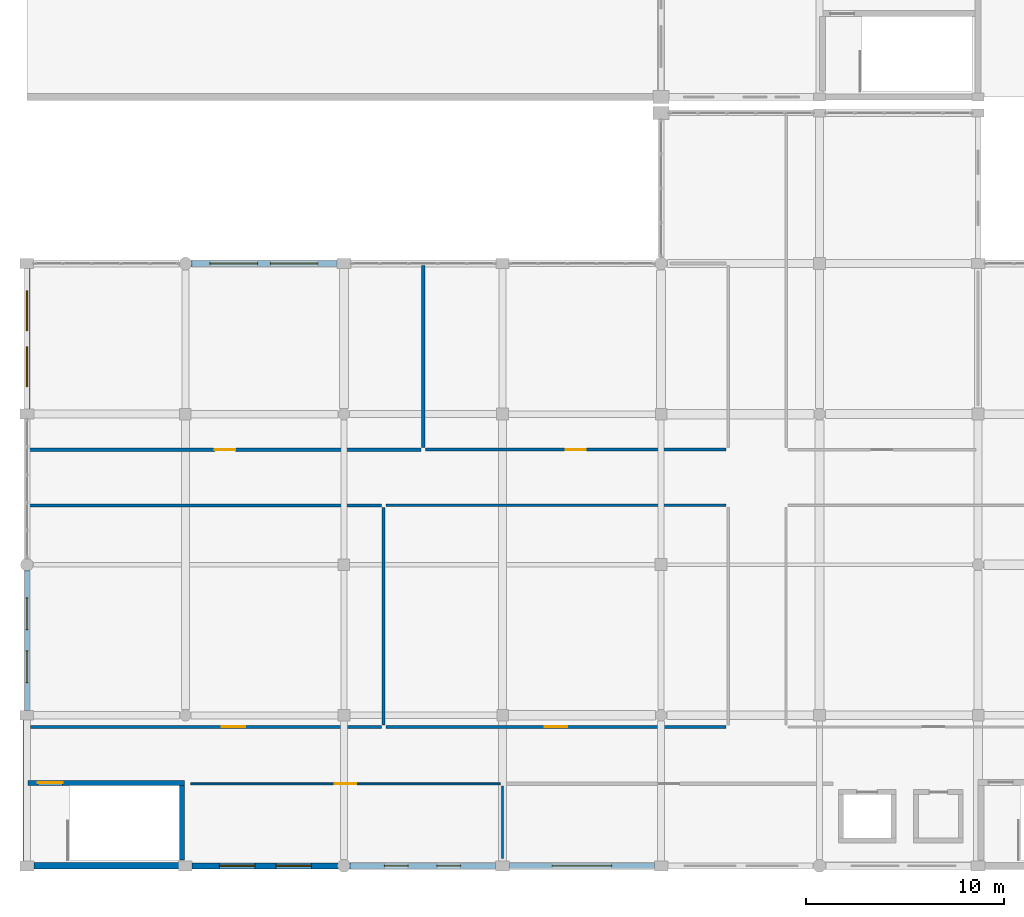
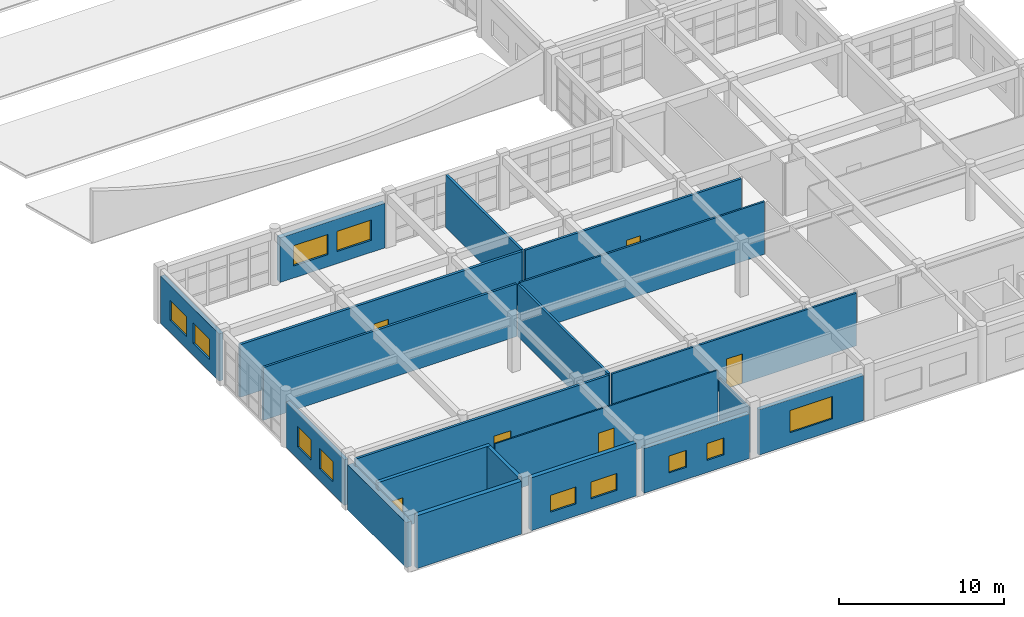
# One storey, part 101 of 121: 20 walls, 11 windows, 6 doors, 17 openings.
"""IFC4 building model written with IfcOpenShell, lengths in metres."""

from ifc_helpers import new_model, si_unit, direction, frame, frame_2d, origin, place, context, subcontext, project, spatial, rectangle, extrude, material, layer, layer_set, type_object, element, fill, save


model = new_model("IFC4")

# Units and contexts
model_context = context("Model", 3, precision=1e-05, world=origin(), true_north=direction((0.0, 1.0)))
body_context = subcontext(model_context, "Body", "Model", "MODEL_VIEW")
ifc_project = project(units=[si_unit("LENGTHUNIT", "METRE"), si_unit("AREAUNIT", "SQUARE_METRE"), si_unit("VOLUMEUNIT", "CUBIC_METRE"), si_unit("PLANEANGLEUNIT", "RADIAN"), si_unit("MASSUNIT", "GRAM", prefix="KILO")], contexts=[model_context])

# Site, building, storey
site_placement = place(None, origin())
site = spatial("IfcSite", under=ifc_project, at=site_placement, CompositionType="ELEMENT")
building_placement = place(site_placement, origin())
building = spatial("IfcBuilding", under=site, at=building_placement, Name="Kharva Crest Polytechnic", CompositionType="ELEMENT")
storey_placement = place(building_placement, frame((0.0, 0.0, 13.199951171875)))
storey = spatial("IfcBuildingStorey", under=building, at=storey_placement, Name="L03", CompositionType="ELEMENT", Elevation=13.199951171875)

# Wall, openings, windows
ifc_material_1 = material(Name="Kiln brick masonry", Category="masonry")
ifc_layer_1 = layer(ifc_material_1, 0.260009765625, Name="Kiln brick masonry")
ifc_layer_set_1 = layer_set([ifc_layer_1], Name="Kiln brick masonry")
wall_type_1 = type_object("IfcWallType", Name="WL-EXT-BRK-260", PredefinedType="SOLIDWALL", material=ifc_layer_set_1)
wall_1_placement = place(storey_placement, frame((0.0, 14.93115234375, 0.0), z_axis=(0.0, 0.0, 1.0), x_axis=(0.0, -1.0, 0.0)))
wall_1 = element("IfcWall", 1, at=wall_1_placement, inside=storey, type_object=wall_type_1, Name="L03 Exterior Brick Wall 311", PredefinedType="SOLIDWALL", context=body_context, shape_type="SweptSolid", body=[
    extrude(rectangle(XDim=7.086181640625, YDim=0.260009765625, at=frame_2d((3.54296875, 0.0))), origin(), (0.0, 0.0, 1.0), 3.380126953125),
])
opening_1_placement = place(wall_1_placement, frame((1.402099609375, 0.0, 0.89990234375)))
opening_1 = element("IfcOpeningElement", 2, at=opening_1_placement, cuts=wall_1, Name="Opening W14", PredefinedType="OPENING", context=body_context, shape_type="SweptSolid", body=[
    extrude(rectangle(XDim=1.60009765625, YDim=1.5, at=frame_2d((0.800048828125, 0.75))), frame((0.0, 0.139892578125, 0.0), z_axis=(0.0, -1.0, 0.0), x_axis=(1.0, 0.0, 0.0)), (0.0, 0.0, 1.0), 0.280029296875),
])
opening_2_placement = place(wall_1_placement, frame((4.083984375, 0.0, 0.89990234375)))
opening_2 = element("IfcOpeningElement", 3, at=opening_2_placement, cuts=wall_1, Name="Opening W14", PredefinedType="OPENING", context=body_context, shape_type="SweptSolid", body=[
    extrude(rectangle(XDim=1.60009765625, YDim=1.5, at=frame_2d((0.800048828125, 0.75))), frame((0.0, 0.139892578125, 0.0), z_axis=(0.0, -1.0, 0.0), x_axis=(1.0, 0.0, 0.0)), (0.0, 0.0, 1.0), 0.280029296875),
])
ifc_material_2 = material(Name="Anodised aluminium", Category="aluminium")
window_type_1 = type_object("IfcWindowType", Name="WIN-ALU-1600X1500", PartitioningType="SINGLE_PANEL", PredefinedType="WINDOW", material=ifc_material_2)
window_1_placement = place(opening_1_placement, origin())
window_1 = element("IfcWindow", 4, at=window_1_placement, inside=storey, type_object=window_type_1, Name="L03 Exterior Window 418", OverallHeight=1.5, OverallWidth=1.60009765625, PartitioningType="SINGLE_PANEL", PredefinedType="WINDOW", context=body_context, shape_type="SweptSolid", body=[
    extrude(rectangle(XDim=1.60009765625, YDim=1.5, at=frame_2d((0.800048828125, 0.75))), frame((0.0, 0.030029296875, 0.0), z_axis=(0.0, -1.0, 0.0), x_axis=(1.0, 0.0, 0.0)), (0.0, 0.0, 1.0), 0.06005859375),
])
fill(opening_1, window_1)
window_2_placement = place(opening_2_placement, origin())
window_2 = element("IfcWindow", 5, at=window_2_placement, inside=storey, type_object=window_type_1, Name="L03 Exterior Window 419", OverallHeight=1.5, OverallWidth=1.60009765625, PartitioningType="SINGLE_PANEL", PredefinedType="WINDOW", context=body_context, shape_type="SweptSolid", body=[
    extrude(rectangle(XDim=1.60009765625, YDim=1.5, at=frame_2d((0.800048828125, 0.75))), frame((0.0, 0.030029296875, 0.0), z_axis=(0.0, -1.0, 0.0), x_axis=(1.0, 0.0, 0.0)), (0.0, 0.0, 1.0), 0.06005859375),
])
fill(opening_2, window_2)

# Wall, opening, window
ifc_layer_2 = layer(ifc_material_1, 0.27490234375, Name="Kiln brick masonry")
ifc_layer_set_2 = layer_set([ifc_layer_2], Name="Kiln brick masonry")
wall_type_2 = type_object("IfcWallType", Name="WL-EXT-BRK-275", PredefinedType="SOLIDWALL", material=ifc_layer_set_2)
wall_2_placement = place(storey_placement, frame((24.344970703125, 0.0, 0.0), z_axis=(0.0, 0.0, 1.0), x_axis=(1.0, 0.0, 0.0)))
wall_2 = element("IfcWall", 6, at=wall_2_placement, inside=storey, type_object=wall_type_2, Name="L03 Exterior Brick Wall 301", PredefinedType="SOLIDWALL", context=body_context, shape_type="SweptSolid", body=[
    extrude(rectangle(XDim=7.320068359375, YDim=0.27490234375, at=frame_2d((3.66015625, 0.0))), origin(), (0.0, 0.0, 1.0), 3.360107421875),
])
opening_3_placement = place(wall_2_placement, frame((2.159912109375, 0.0, 0.89990234375)))
opening_3 = element("IfcOpeningElement", 7, at=opening_3_placement, cuts=wall_2, Name="Opening W23", PredefinedType="OPENING", context=body_context, shape_type="SweptSolid", body=[
    extrude(rectangle(XDim=3.0, YDim=1.64990234375, at=frame_2d((1.5, 0.824951171875))), frame((0.0, 0.1474609375, 0.0), z_axis=(0.0, -1.0, 0.0), x_axis=(1.0, 0.0, 0.0)), (0.0, 0.0, 1.0), 0.294921875),
])
window_type_2 = type_object("IfcWindowType", Name="WIN-ALU-3000X1650", PartitioningType="SINGLE_PANEL", PredefinedType="WINDOW", material=ifc_material_2)
window_3_placement = place(opening_3_placement, origin())
window_3 = element("IfcWindow", 8, at=window_3_placement, inside=storey, type_object=window_type_2, Name="L03 Exterior Window 403", OverallHeight=1.64990234375, OverallWidth=3.0, PartitioningType="SINGLE_PANEL", PredefinedType="WINDOW", context=body_context, shape_type="SweptSolid", body=[
    extrude(rectangle(XDim=3.0, YDim=1.64990234375, at=frame_2d((1.5, 0.824951171875))), frame((0.0, 0.030029296875, 0.0), z_axis=(0.0, -1.0, 0.0), x_axis=(1.0, 0.0, 0.0)), (0.0, 0.0, 1.0), 0.06005859375),
])
fill(opening_3, window_3)

# Wall, openings, windows
ifc_layer_3 = layer(ifc_material_1, 0.2900390625, Name="Kiln brick masonry")
ifc_layer_set_3 = layer_set([ifc_layer_3], Name="Kiln brick masonry")
wall_type_3 = type_object("IfcWallType", Name="WL-EXT-BRK-290", PredefinedType="SOLIDWALL", material=ifc_layer_set_3)
wall_3_placement = place(storey_placement, frame((16.268798828125, 0.0, 0.0), z_axis=(0.0, 0.0, 1.0), x_axis=(1.0, 0.0, 0.0)))
wall_3 = element("IfcWall", 9, at=wall_3_placement, inside=storey, type_object=wall_type_3, Name="L03 Exterior Brick Wall 300", PredefinedType="SOLIDWALL", context=body_context, shape_type="SweptSolid", body=[
    extrude(rectangle(XDim=7.38623046875, YDim=0.2900390625, at=frame_2d((3.693115234375, 0.0))), origin(), (0.0, 0.0, 1.0), 3.31005859375),
])
opening_4_placement = place(wall_3_placement, frame((1.76904296875, 0.0, 0.89990234375)))
opening_4 = element("IfcOpeningElement", 10, at=opening_4_placement, cuts=wall_3, Name="Opening W21", PredefinedType="OPENING", context=body_context, shape_type="SweptSolid", body=[
    extrude(rectangle(XDim=1.199951171875, YDim=1.25, at=frame_2d((0.60009765625, 0.625))), frame((0.0, 0.155029296875, 0.0), z_axis=(0.0, -1.0, 0.0), x_axis=(1.0, 0.0, 0.0)), (0.0, 0.0, 1.0), 0.31005859375),
])
opening_5_placement = place(wall_3_placement, frame((4.4169921875, 0.0, 0.89990234375)))
opening_5 = element("IfcOpeningElement", 11, at=opening_5_placement, cuts=wall_3, Name="Opening W21", PredefinedType="OPENING", context=body_context, shape_type="SweptSolid", body=[
    extrude(rectangle(XDim=1.199951171875, YDim=1.25, at=frame_2d((0.60009765625, 0.625))), frame((0.0, 0.155029296875, 0.0), z_axis=(0.0, -1.0, 0.0), x_axis=(1.0, 0.0, 0.0)), (0.0, 0.0, 1.0), 0.31005859375),
])
window_type_3 = type_object("IfcWindowType", Name="WIN-ALU-1200X1250", PartitioningType="SINGLE_PANEL", PredefinedType="WINDOW", material=ifc_material_2)
window_4_placement = place(opening_4_placement, origin())
window_4 = element("IfcWindow", 12, at=window_4_placement, inside=storey, type_object=window_type_3, Name="L03 Exterior Window 401", OverallHeight=1.25, OverallWidth=1.199951171875, PartitioningType="SINGLE_PANEL", PredefinedType="WINDOW", context=body_context, shape_type="SweptSolid", body=[
    extrude(rectangle(XDim=1.199951171875, YDim=1.25, at=frame_2d((0.60009765625, 0.625))), frame((0.0, 0.030029296875, 0.0), z_axis=(0.0, -1.0, 0.0), x_axis=(1.0, 0.0, 0.0)), (0.0, 0.0, 1.0), 0.06005859375),
])
fill(opening_4, window_4)
window_5_placement = place(opening_5_placement, origin())
window_5 = element("IfcWindow", 13, at=window_5_placement, inside=storey, type_object=window_type_3, Name="L03 Exterior Window 402", OverallHeight=1.25, OverallWidth=1.199951171875, PartitioningType="SINGLE_PANEL", PredefinedType="WINDOW", context=body_context, shape_type="SweptSolid", body=[
    extrude(rectangle(XDim=1.199951171875, YDim=1.25, at=frame_2d((0.60009765625, 0.625))), frame((0.0, 0.030029296875, 0.0), z_axis=(0.0, -1.0, 0.0), x_axis=(1.0, 0.0, 0.0)), (0.0, 0.0, 1.0), 0.06005859375),
])
fill(opening_5, window_5)

wall_4_placement = place(storey_placement, frame((0.0, 30.155029296875, 0.0), z_axis=(0.0, 0.0, 1.0), x_axis=(0.0, -1.0, 0.0)))
wall_4 = element("IfcWall", 14, at=wall_4_placement, inside=storey, type_object=wall_type_3, Name="L03 Exterior Brick Wall 310", PredefinedType="SOLIDWALL", context=body_context, shape_type="SweptSolid", body=[
    extrude(rectangle(XDim=7.110107421875, YDim=0.2900390625, at=frame_2d((3.55517578125, 0.0))), origin(), (0.0, 0.0, 1.0), 3.5),
])
opening_6_placement = place(wall_4_placement, frame((1.14306640625, 0.0, 0.89990234375)))
opening_6 = element("IfcOpeningElement", 15, at=opening_6_placement, cuts=wall_4, Name="Opening W12", PredefinedType="OPENING", context=body_context, shape_type="SweptSolid", body=[
    extrude(rectangle(XDim=2.0, YDim=1.5, at=frame_2d((1.0, 0.75))), frame((0.0, 0.155029296875, 0.0), z_axis=(0.0, -1.0, 0.0), x_axis=(1.0, 0.0, 0.0)), (0.0, 0.0, 1.0), 0.31005859375),
])
opening_7_placement = place(wall_4_placement, frame((3.967041015625, 0.0, 0.89990234375)))
opening_7 = element("IfcOpeningElement", 16, at=opening_7_placement, cuts=wall_4, Name="Opening W12", PredefinedType="OPENING", context=body_context, shape_type="SweptSolid", body=[
    extrude(rectangle(XDim=2.0, YDim=1.5, at=frame_2d((1.0, 0.75))), frame((0.0, 0.155029296875, 0.0), z_axis=(0.0, -1.0, 0.0), x_axis=(1.0, 0.0, 0.0)), (0.0, 0.0, 1.0), 0.31005859375),
])
window_type_4 = type_object("IfcWindowType", Name="WIN-ALU-2000X1500", PartitioningType="SINGLE_PANEL", PredefinedType="WINDOW", material=ifc_material_2)
window_6_placement = place(opening_6_placement, origin())
window_6 = element("IfcWindow", 17, at=window_6_placement, inside=storey, type_object=window_type_4, Name="L03 Exterior Window 416", OverallHeight=1.5, OverallWidth=2.0, PartitioningType="SINGLE_PANEL", PredefinedType="WINDOW", context=body_context, shape_type="SweptSolid", body=[
    extrude(rectangle(XDim=2.0, YDim=1.5, at=frame_2d((1.0, 0.75))), frame((0.0, 0.030029296875, 0.0), z_axis=(0.0, -1.0, 0.0), x_axis=(1.0, 0.0, 0.0)), (0.0, 0.0, 1.0), 0.06005859375),
])
fill(opening_6, window_6)
window_7_placement = place(opening_7_placement, origin())
window_7 = element("IfcWindow", 18, at=window_7_placement, inside=storey, type_object=window_type_4, Name="L03 Exterior Window 417", OverallHeight=1.5, OverallWidth=2.0, PartitioningType="SINGLE_PANEL", PredefinedType="WINDOW", context=body_context, shape_type="SweptSolid", body=[
    extrude(rectangle(XDim=2.0, YDim=1.5, at=frame_2d((1.0, 0.75))), frame((0.0, 0.030029296875, 0.0), z_axis=(0.0, -1.0, 0.0), x_axis=(1.0, 0.0, 0.0)), (0.0, 0.0, 1.0), 0.06005859375),
])
fill(opening_7, window_7)

ifc_layer_4 = layer(ifc_material_1, 0.304931640625, Name="Kiln brick masonry")
ifc_layer_set_4 = layer_set([ifc_layer_4], Name="Kiln brick masonry")
wall_type_4 = type_object("IfcWallType", Name="WL-EXT-BRK-305", PredefinedType="SOLIDWALL", material=ifc_layer_set_4)
wall_5_placement = place(storey_placement, frame((8.3349609375, 0.0, 0.0), z_axis=(0.0, 0.0, 1.0), x_axis=(1.0, 0.0, 0.0)))
wall_5 = element("IfcWall", 19, at=wall_5_placement, inside=storey, type_object=wall_type_4, Name="L03 Exterior Brick Wall 299", PredefinedType="SOLIDWALL", context=body_context, shape_type="SweptSolid", body=[
    extrude(rectangle(XDim=7.396240234375, YDim=0.304931640625, at=frame_2d((3.6982421875, 0.0))), origin(), (0.0, 0.0, 1.0), 3.920166015625),
])
opening_8_placement = place(wall_5_placement, frame((1.3720703125, 0.0, 0.89990234375)))
opening_8 = element("IfcOpeningElement", 20, at=opening_8_placement, cuts=wall_5, Name="Opening W19", PredefinedType="OPENING", context=body_context, shape_type="SweptSolid", body=[
    extrude(rectangle(XDim=1.800048828125, YDim=1.25, at=frame_2d((0.89990234375, 0.625))), frame((0.0, 0.162353515625, 0.0), z_axis=(0.0, -1.0, 0.0), x_axis=(1.0, 0.0, 0.0)), (0.0, 0.0, 1.0), 0.324951171875),
])
opening_9_placement = place(wall_5_placement, frame((4.22412109375, 0.0, 0.89990234375)))
opening_9 = element("IfcOpeningElement", 21, at=opening_9_placement, cuts=wall_5, Name="Opening W19", PredefinedType="OPENING", context=body_context, shape_type="SweptSolid", body=[
    extrude(rectangle(XDim=1.800048828125, YDim=1.25, at=frame_2d((0.89990234375, 0.625))), frame((0.0, 0.162353515625, 0.0), z_axis=(0.0, -1.0, 0.0), x_axis=(1.0, 0.0, 0.0)), (0.0, 0.0, 1.0), 0.324951171875),
])
window_type_5 = type_object("IfcWindowType", Name="WIN-ALU-1800X1250", PartitioningType="SINGLE_PANEL", PredefinedType="WINDOW", material=ifc_material_2)
window_8_placement = place(opening_8_placement, origin())
window_8 = element("IfcWindow", 22, at=window_8_placement, inside=storey, type_object=window_type_5, Name="L03 Exterior Window 399", OverallHeight=1.25, OverallWidth=1.800048828125, PartitioningType="SINGLE_PANEL", PredefinedType="WINDOW", context=body_context, shape_type="SweptSolid", body=[
    extrude(rectangle(XDim=1.800048828125, YDim=1.25, at=frame_2d((0.89990234375, 0.625))), frame((0.0, 0.030029296875, 0.0), z_axis=(0.0, -1.0, 0.0), x_axis=(1.0, 0.0, 0.0)), (0.0, 0.0, 1.0), 0.06005859375),
])
fill(opening_8, window_8)
window_9_placement = place(opening_9_placement, origin())
window_9 = element("IfcWindow", 23, at=window_9_placement, inside=storey, type_object=window_type_5, Name="L03 Exterior Window 400", OverallHeight=1.25, OverallWidth=1.800048828125, PartitioningType="SINGLE_PANEL", PredefinedType="WINDOW", context=body_context, shape_type="SweptSolid", body=[
    extrude(rectangle(XDim=1.800048828125, YDim=1.25, at=frame_2d((0.89990234375, 0.625))), frame((0.0, 0.030029296875, 0.0), z_axis=(0.0, -1.0, 0.0), x_axis=(1.0, 0.0, 0.0)), (0.0, 0.0, 1.0), 0.06005859375),
])
fill(opening_9, window_9)

# Wall
ifc_layer_5 = layer(ifc_material_1, 0.320068359375, Name="Kiln brick masonry")
ifc_layer_set_5 = layer_set([ifc_layer_5], Name="Kiln brick masonry")
wall_type_5 = type_object("IfcWallType", Name="WL-EXT-BRK-320", PredefinedType="SOLIDWALL", material=ifc_layer_set_5)
wall_6_placement = place(storey_placement, frame((0.344970703125, 0.0, 0.0), z_axis=(0.0, 0.0, 1.0), x_axis=(1.0, 0.0, 0.0)))
element("IfcWall", 24, at=wall_6_placement, inside=storey, type_object=wall_type_5, Name="L03 Exterior Brick Wall 298", PredefinedType="SOLIDWALL", context=body_context, shape_type="SweptSolid", body=[
    extrude(rectangle(XDim=7.320068359375, YDim=0.320068359375, at=frame_2d((3.66015625, 0.0))), origin(), (0.0, 0.0, 1.0), 3.920166015625),
])

# Wall, openings, windows
wall_7_placement = place(storey_placement, frame((15.655029296875, 30.39990234375, 0.0), z_axis=(0.0, 0.0, 1.0), x_axis=(-1.0, 0.0, 0.0)))
wall_7 = element("IfcWall", 25, at=wall_7_placement, inside=storey, type_object=wall_type_5, Name="L03 Exterior Brick Wall 309", PredefinedType="SOLIDWALL", context=body_context, shape_type="SweptSolid", body=[
    extrude(rectangle(XDim=7.38623046875, YDim=0.320068359375, at=frame_2d((3.693115234375, 0.0))), origin(), (0.0, 0.0, 1.0), 3.31005859375),
])
opening_10_placement = place(wall_7_placement, frame((0.968994140625, 0.0, 0.89990234375)))
opening_10 = element("IfcOpeningElement", 26, at=opening_10_placement, cuts=wall_7, Name="Opening W10", PredefinedType="OPENING", context=body_context, shape_type="SweptSolid", body=[
    extrude(rectangle(XDim=2.39990234375, YDim=1.5, at=frame_2d((1.199951171875, 0.75))), frame((0.0, 0.169921875, 0.0), z_axis=(0.0, -1.0, 0.0), x_axis=(1.0, 0.0, 0.0)), (0.0, 0.0, 1.0), 0.340087890625),
])
opening_11_placement = place(wall_7_placement, frame((4.01708984375, 0.0, 0.89990234375)))
opening_11 = element("IfcOpeningElement", 27, at=opening_11_placement, cuts=wall_7, Name="Opening W10", PredefinedType="OPENING", context=body_context, shape_type="SweptSolid", body=[
    extrude(rectangle(XDim=2.39990234375, YDim=1.5, at=frame_2d((1.199951171875, 0.75))), frame((0.0, 0.169921875, 0.0), z_axis=(0.0, -1.0, 0.0), x_axis=(1.0, 0.0, 0.0)), (0.0, 0.0, 1.0), 0.340087890625),
])
window_type_6 = type_object("IfcWindowType", Name="WIN-ALU-2400X1500", PartitioningType="SINGLE_PANEL", PredefinedType="WINDOW", material=ifc_material_2)
window_10_placement = place(opening_10_placement, origin())
window_10 = element("IfcWindow", 28, at=window_10_placement, inside=storey, type_object=window_type_6, Name="L03 Exterior Window 414", OverallHeight=1.5, OverallWidth=2.39990234375, PartitioningType="SINGLE_PANEL", PredefinedType="WINDOW", context=body_context, shape_type="SweptSolid", body=[
    extrude(rectangle(XDim=2.39990234375, YDim=1.5, at=frame_2d((1.199951171875, 0.75))), frame((0.0, 0.030029296875, 0.0), z_axis=(0.0, -1.0, 0.0), x_axis=(1.0, 0.0, 0.0)), (0.0, 0.0, 1.0), 0.06005859375),
])
fill(opening_10, window_10)
window_11_placement = place(opening_11_placement, origin())
window_11 = element("IfcWindow", 29, at=window_11_placement, inside=storey, type_object=window_type_6, Name="L03 Exterior Window 415", OverallHeight=1.5, OverallWidth=2.39990234375, PartitioningType="SINGLE_PANEL", PredefinedType="WINDOW", context=body_context, shape_type="SweptSolid", body=[
    extrude(rectangle(XDim=2.39990234375, YDim=1.5, at=frame_2d((1.199951171875, 0.75))), frame((0.0, 0.030029296875, 0.0), z_axis=(0.0, -1.0, 0.0), x_axis=(1.0, 0.0, 0.0)), (0.0, 0.0, 1.0), 0.06005859375),
])
fill(opening_11, window_11)

# Walls
ifc_layer_6 = layer(ifc_material_1, 0.3798828125, Name="Kiln brick masonry")
ifc_layer_set_6 = layer_set([ifc_layer_6], Name="Kiln brick masonry")
wall_type_6 = type_object("IfcWallType", Name="WL-EXT-BRK-380", PredefinedType="SOLIDWALL", material=ifc_layer_set_6)
wall_8_placement = place(storey_placement, frame((0.0, 7.35498046875, 0.0), z_axis=(0.0, 0.0, 1.0), x_axis=(0.0, -1.0, 0.0)))
element("IfcWall", 30, at=wall_8_placement, inside=storey, type_object=wall_type_6, Name="L03 Exterior Brick Wall 312", PredefinedType="SOLIDWALL", context=body_context, shape_type="SweptSolid", body=[
    extrude(rectangle(XDim=7.10986328125, YDim=0.3798828125, at=frame_2d((3.554931640625, 0.0))), origin(), (0.0, 0.0, 1.0), 3.340087890625),
])
ifc_layer_7 = layer(ifc_material_1, 0.090087890625, Name="Kiln brick masonry")
ifc_layer_set_7 = layer_set([ifc_layer_7], Name="Kiln brick masonry")
wall_type_7 = type_object("IfcWallType", Name="WL-PART-090", PredefinedType="PARTITIONING", material=ifc_layer_set_7)
wall_9_placement = place(storey_placement, frame((24.0, 0.3798828125, 0.0), z_axis=(0.0, 0.0, 1.0), x_axis=(0.0, 1.0, 0.0)))
element("IfcWall", 31, at=wall_9_placement, inside=storey, type_object=wall_type_7, Name="L03 Interior Partition 279", PredefinedType="PARTITIONING", context=body_context, shape_type="SweptSolid", body=[
    extrude(rectangle(XDim=3.650146484375, YDim=0.090087890625, at=frame_2d((1.8251953125, 0.0))), origin(), (0.0, 0.0, 1.0), 3.340087890625),
])

# Wall, opening, door
ifc_layer_8 = layer(ifc_material_1, 0.10009765625, Name="Kiln brick masonry")
ifc_layer_set_8 = layer_set([ifc_layer_8], Name="Kiln brick masonry")
wall_type_8 = type_object("IfcWallType", Name="WL-PART-100", PredefinedType="PARTITIONING", material=ifc_layer_set_8)
wall_10_placement = place(storey_placement, frame((8.260009765625, 4.139892578125, 0.0), z_axis=(0.0, 0.0, 1.0), x_axis=(1.0, 0.0, 0.0)))
wall_10 = element("IfcWall", 32, at=wall_10_placement, inside=storey, type_object=wall_type_8, Name="L03 Interior Partition 278", PredefinedType="PARTITIONING", context=body_context, shape_type="SweptSolid", body=[
    extrude(rectangle(XDim=15.6298828125, YDim=0.10009765625, at=frame_2d((7.81494140625, 0.0))), origin(), (0.0, 0.0, 1.0), 3.900146484375),
])
opening_12_placement = place(wall_10_placement, frame((7.27490234375, 0.0, 0.0)))
opening_12 = element("IfcOpeningElement", 33, at=opening_12_placement, cuts=wall_10, Name="Opening ID10", PredefinedType="OPENING", context=body_context, shape_type="SweptSolid", body=[
    extrude(rectangle(XDim=1.080078125, YDim=2.14990234375, at=frame_2d((0.5400390625, 1.074951171875))), frame((0.0, 0.06005859375, 0.0), z_axis=(0.0, -1.0, 0.0), x_axis=(1.0, 0.0, 0.0)), (0.0, 0.0, 1.0), 0.1201171875),
])
ifc_material_3 = material(Name="Teak timber", Category="wood")
door_type_1 = type_object("IfcDoorType", Name="DR-CLS-1080X2150", OperationType="NOTDEFINED", PredefinedType="DOOR", material=ifc_material_3)
door_1_placement = place(opening_12_placement, origin())
door_1 = element("IfcDoor", 34, at=door_1_placement, inside=storey, type_object=door_type_1, Name="L03 Classroom L03-1 Door", OperationType="SINGLE_SWING_RIGHT", OverallHeight=2.14990234375, OverallWidth=1.080078125, PredefinedType="DOOR", context=body_context, shape_type="SweptSolid", body=[
    extrude(rectangle(XDim=1.080078125, YDim=2.14990234375, at=frame_2d((0.5400390625, 1.074951171875))), frame((0.0, 0.02490234375, 0.0), z_axis=(0.0, -1.0, 0.0), x_axis=(1.0, 0.0, 0.0)), (0.0, 0.0, 1.0), 0.050048828125),
])
fill(opening_12, door_1)

# Wall
ifc_layer_9 = layer(ifc_material_1, 0.1298828125, Name="Kiln brick masonry")
ifc_layer_set_9 = layer_set([ifc_layer_9], Name="Kiln brick masonry")
wall_type_9 = type_object("IfcWallType", Name="WL-PART-130", PredefinedType="PARTITIONING", material=ifc_layer_set_9)
wall_11_placement = place(storey_placement, frame((18.1201171875, 18.18994140625, 0.0), z_axis=(0.0, 0.0, 1.0), x_axis=(1.0, 0.0, 0.0)))
element("IfcWall", 35, at=wall_11_placement, inside=storey, type_object=wall_type_9, Name="L03 Interior Partition 285", PredefinedType="PARTITIONING", context=body_context, shape_type="SweptSolid", body=[
    extrude(rectangle(XDim=17.159912109375, YDim=0.1298828125, at=frame_2d((8.580078125, 0.0))), origin(), (0.0, 0.0, 1.0), 3.900146484375),
])

# Wall, opening, door
ifc_layer_10 = layer(ifc_material_1, 0.139892578125, Name="Kiln brick masonry")
ifc_layer_set_10 = layer_set([ifc_layer_10], Name="Kiln brick masonry")
wall_type_10 = type_object("IfcWallType", Name="WL-PART-140", PredefinedType="PARTITIONING", material=ifc_layer_set_10)
wall_12_placement = place(storey_placement, frame((18.1201171875, 7.010009765625, 0.0), z_axis=(0.0, 0.0, 1.0), x_axis=(1.0, 0.0, 0.0)))
wall_12 = element("IfcWall", 36, at=wall_12_placement, inside=storey, type_object=wall_type_10, Name="L03 Interior Partition 284", PredefinedType="PARTITIONING", context=body_context, shape_type="SweptSolid", body=[
    extrude(rectangle(XDim=17.159912109375, YDim=0.139892578125, at=frame_2d((8.580078125, 0.0))), origin(), (0.0, 0.0, 1.0), 3.900146484375),
])
opening_13_placement = place(wall_12_placement, frame((8.02001953125, 0.0, 0.0)))
opening_13 = element("IfcOpeningElement", 37, at=opening_13_placement, cuts=wall_12, Name="Opening ID9", PredefinedType="OPENING", context=body_context, shape_type="SweptSolid", body=[
    extrude(rectangle(XDim=1.1201171875, YDim=2.199951171875, at=frame_2d((0.56005859375, 1.10009765625))), frame((0.0, 0.079833984375, 0.0), z_axis=(0.0, -1.0, 0.0), x_axis=(1.0, 0.0, 0.0)), (0.0, 0.0, 1.0), 0.159912109375),
])
door_type_2 = type_object("IfcDoorType", Name="DR-STD-1120X2200", OperationType="NOTDEFINED", PredefinedType="DOOR", material=ifc_material_3)
door_2_placement = place(opening_13_placement, origin())
door_2 = element("IfcDoor", 38, at=door_2_placement, inside=storey, type_object=door_type_2, Name="L03 Design Studio L03-SW2 Door", OperationType="SINGLE_SWING_LEFT", OverallHeight=2.199951171875, OverallWidth=1.1201171875, PredefinedType="DOOR", context=body_context, shape_type="SweptSolid", body=[
    extrude(rectangle(XDim=1.1201171875, YDim=2.199951171875, at=frame_2d((0.56005859375, 1.10009765625))), frame((0.0, 0.02490234375, 0.0), z_axis=(0.0, -1.0, 0.0), x_axis=(1.0, 0.0, 0.0)), (0.0, 0.0, 1.0), 0.050048828125),
])
fill(opening_13, door_2)

# Walls
ifc_layer_11 = layer(ifc_material_1, 0.14990234375, Name="Kiln brick masonry")
ifc_layer_set_11 = layer_set([ifc_layer_11], Name="Kiln brick masonry")
wall_type_11 = type_object("IfcWallType", Name="WL-PART-150", PredefinedType="PARTITIONING", material=ifc_layer_set_11)
wall_13_placement = place(storey_placement, frame((18.0, 7.1201171875, 0.0), z_axis=(0.0, 0.0, 1.0), x_axis=(0.0, 1.0, 0.0)))
element("IfcWall", 39, at=wall_13_placement, inside=storey, type_object=wall_type_11, Name="L03 Interior Partition 283", PredefinedType="PARTITIONING", context=body_context, shape_type="SweptSolid", body=[
    extrude(rectangle(XDim=10.9599609375, YDim=0.14990234375, at=frame_2d((5.47998046875, 0.0))), origin(), (0.0, 0.0, 1.0), 3.900146484375),
])
ifc_layer_12 = layer(ifc_material_1, 0.159912109375, Name="Kiln brick masonry")
ifc_layer_set_12 = layer_set([ifc_layer_12], Name="Kiln brick masonry")
wall_type_12 = type_object("IfcWallType", Name="WL-PART-160", PredefinedType="PARTITIONING", material=ifc_layer_set_12)
wall_14_placement = place(storey_placement, frame((0.110107421875, 18.18994140625, 0.0), z_axis=(0.0, 0.0, 1.0), x_axis=(1.0, 0.0, 0.0)))
element("IfcWall", 40, at=wall_14_placement, inside=storey, type_object=wall_type_12, Name="L03 Interior Partition 282", PredefinedType="PARTITIONING", context=body_context, shape_type="SweptSolid", body=[
    extrude(rectangle(XDim=17.77978515625, YDim=0.159912109375, at=frame_2d((8.889892578125, 0.0))), origin(), (0.0, 0.0, 1.0), 3.900146484375),
])

# Wall, opening, door
wall_15_placement = place(storey_placement, frame((20.1201171875, 21.010009765625, 0.0), z_axis=(0.0, 0.0, 1.0), x_axis=(1.0, 0.0, 0.0)))
wall_15 = element("IfcWall", 41, at=wall_15_placement, inside=storey, type_object=wall_type_12, Name="L03 Interior Partition 292", PredefinedType="PARTITIONING", context=body_context, shape_type="SweptSolid", body=[
    extrude(rectangle(XDim=15.159912109375, YDim=0.159912109375, at=frame_2d((7.580078125, 0.0))), origin(), (0.0, 0.0, 1.0), 3.900146484375),
])
opening_14_placement = place(wall_15_placement, frame((7.080078125, 0.0, 0.0)))
opening_14 = element("IfcOpeningElement", 42, at=opening_14_placement, cuts=wall_15, Name="Opening ID12", PredefinedType="OPENING", context=body_context, shape_type="SweptSolid", body=[
    extrude(rectangle(XDim=1.0, YDim=2.14990234375, at=frame_2d((0.5, 1.074951171875))), frame((0.0, 0.08984375, 0.0), z_axis=(0.0, -1.0, 0.0), x_axis=(1.0, 0.0, 0.0)), (0.0, 0.0, 1.0), 0.179931640625),
])
door_type_3 = type_object("IfcDoorType", Name="DR-OFF-1000X2150", OperationType="NOTDEFINED", PredefinedType="DOOR", material=ifc_material_3)
door_3_placement = place(opening_14_placement, origin())
door_3 = element("IfcDoor", 43, at=door_3_placement, inside=storey, type_object=door_type_3, Name="L03 Faculty Office L03-SW Door", OperationType="SINGLE_SWING_RIGHT", OverallHeight=2.14990234375, OverallWidth=1.0, PredefinedType="DOOR", context=body_context, shape_type="SweptSolid", body=[
    extrude(rectangle(XDim=1.0, YDim=2.14990234375, at=frame_2d((0.5, 1.074951171875))), frame((0.0, 0.02490234375, 0.0), z_axis=(0.0, -1.0, 0.0), x_axis=(1.0, 0.0, 0.0)), (0.0, 0.0, 1.0), 0.050048828125),
])
fill(opening_14, door_3)

ifc_layer_13 = layer(ifc_material_1, 0.169921875, Name="Kiln brick masonry")
ifc_layer_set_13 = layer_set([ifc_layer_13], Name="Kiln brick masonry")
wall_type_13 = type_object("IfcWallType", Name="WL-PART-170", PredefinedType="PARTITIONING", material=ifc_layer_set_13)
wall_16_placement = place(storey_placement, frame((0.110107421875, 7.010009765625, 0.0), z_axis=(0.0, 0.0, 1.0), x_axis=(1.0, 0.0, 0.0)))
wall_16 = element("IfcWall", 44, at=wall_16_placement, inside=storey, type_object=wall_type_13, Name="L03 Interior Partition 281", PredefinedType="PARTITIONING", context=body_context, shape_type="SweptSolid", body=[
    extrude(rectangle(XDim=17.77978515625, YDim=0.169921875, at=frame_2d((8.889892578125, 0.0))), origin(), (0.0, 0.0, 1.0), 3.900146484375),
])
opening_15_placement = place(wall_16_placement, frame((9.721923828125, 0.0, 0.0)))
opening_15 = element("IfcOpeningElement", 45, at=opening_15_placement, cuts=wall_16, Name="Opening ID8", PredefinedType="OPENING", context=body_context, shape_type="SweptSolid", body=[
    extrude(rectangle(XDim=1.179931640625, YDim=2.199951171875, at=frame_2d((0.58984375, 1.10009765625))), frame((0.0, 0.094970703125, 0.0), z_axis=(0.0, -1.0, 0.0), x_axis=(1.0, 0.0, 0.0)), (0.0, 0.0, 1.0), 0.18994140625),
])
door_type_4 = type_object("IfcDoorType", Name="DR-STD-1180X2200", OperationType="NOTDEFINED", PredefinedType="DOOR", material=ifc_material_3)
door_4_placement = place(opening_15_placement, origin())
door_4 = element("IfcDoor", 46, at=door_4_placement, inside=storey, type_object=door_type_4, Name="L03 Design Studio L03-SW1 Door", OperationType="SINGLE_SWING_RIGHT", OverallHeight=2.199951171875, OverallWidth=1.179931640625, PredefinedType="DOOR", context=body_context, shape_type="SweptSolid", body=[
    extrude(rectangle(XDim=1.179931640625, YDim=2.199951171875, at=frame_2d((0.58984375, 1.10009765625))), frame((0.0, 0.02490234375, 0.0), z_axis=(0.0, -1.0, 0.0), x_axis=(1.0, 0.0, 0.0)), (0.0, 0.0, 1.0), 0.050048828125),
])
fill(opening_15, door_4)

# Wall
wall_17_placement = place(storey_placement, frame((20.0, 21.1201171875, 0.0), z_axis=(0.0, 0.0, 1.0), x_axis=(0.0, 1.0, 0.0)))
element("IfcWall", 47, at=wall_17_placement, inside=storey, type_object=wall_type_13, Name="L03 Interior Partition 291", PredefinedType="PARTITIONING", context=body_context, shape_type="SweptSolid", body=[
    extrude(rectangle(XDim=9.169921875, YDim=0.169921875, at=frame_2d((4.5849609375, 0.0))), origin(), (0.0, 0.0, 1.0), 3.900146484375),
])

# Wall, opening, door
ifc_layer_14 = layer(ifc_material_1, 0.179931640625, Name="Kiln brick masonry")
ifc_layer_set_14 = layer_set([ifc_layer_14], Name="Kiln brick masonry")
wall_type_14 = type_object("IfcWallType", Name="WL-PART-180", PredefinedType="PARTITIONING", material=ifc_layer_set_14)
wall_18_placement = place(storey_placement, frame((0.110107421875, 21.010009765625, 0.0), z_axis=(0.0, 0.0, 1.0), x_axis=(1.0, 0.0, 0.0)))
wall_18 = element("IfcWall", 48, at=wall_18_placement, inside=storey, type_object=wall_type_14, Name="L03 Interior Partition 290", PredefinedType="PARTITIONING", context=body_context, shape_type="SweptSolid", body=[
    extrude(rectangle(XDim=19.77978515625, YDim=0.179931640625, at=frame_2d((9.889892578125, 0.0))), origin(), (0.0, 0.0, 1.0), 3.900146484375),
])
opening_16_placement = place(wall_18_placement, frame((9.3701171875, 0.0, 0.0)))
opening_16 = element("IfcOpeningElement", 49, at=opening_16_placement, cuts=wall_18, Name="Opening ID11", PredefinedType="OPENING", context=body_context, shape_type="SweptSolid", body=[
    extrude(rectangle(XDim=1.0400390625, YDim=2.14990234375, at=frame_2d((0.52001953125, 1.074951171875))), frame((0.0, 0.099853515625, 0.0), z_axis=(0.0, -1.0, 0.0), x_axis=(1.0, 0.0, 0.0)), (0.0, 0.0, 1.0), 0.199951171875),
])
door_type_5 = type_object("IfcDoorType", Name="DR-CLS-1040X2150", OperationType="NOTDEFINED", PredefinedType="DOOR", material=ifc_material_3)
door_5_placement = place(opening_16_placement, origin())
door_5 = element("IfcDoor", 50, at=door_5_placement, inside=storey, type_object=door_type_5, Name="L03 Critique Seminar Room L03-SW4 Door", OperationType="SINGLE_SWING_LEFT", OverallHeight=2.14990234375, OverallWidth=1.0400390625, PredefinedType="DOOR", context=body_context, shape_type="SweptSolid", body=[
    extrude(rectangle(XDim=1.0400390625, YDim=2.14990234375, at=frame_2d((0.52001953125, 1.074951171875))), frame((0.0, 0.02490234375, 0.0), z_axis=(0.0, -1.0, 0.0), x_axis=(1.0, 0.0, 0.0)), (0.0, 0.0, 1.0), 0.050048828125),
])
fill(opening_16, door_5)

ifc_material_4 = material(Name="Concrete C40/50", Category="concrete")
ifc_layer_15 = layer(ifc_material_4, 0.25, Name="Concrete C40/50")
ifc_layer_set_15 = layer_set([ifc_layer_15], Name="Concrete C40/50")
wall_type_15 = type_object("IfcWallType", Name="WL-SHEAR-SW1-250", PredefinedType="SHEAR", material=ifc_layer_set_15)
wall_19_placement = place(storey_placement, frame((0.050048828125, 4.18505859375, 0.0), z_axis=(0.0, 0.0, 1.0), x_axis=(1.0, 0.0, 0.0)))
wall_19 = element("IfcWall", 51, at=wall_19_placement, inside=storey, type_object=wall_type_15, Name="L03 West Lecture Wing Stair C10 North Shear Wall", PredefinedType="SHEAR", context=body_context, shape_type="SweptSolid", body=[
    extrude(rectangle(XDim=7.89990234375, YDim=0.25, at=frame_2d((3.949951171875, 0.0))), origin(), (0.0, 0.0, 1.0), 3.920166015625),
])
opening_17_placement = place(wall_19_placement, frame((0.5, 0.0, 0.0)))
opening_17 = element("IfcOpeningElement", 52, at=opening_17_placement, cuts=wall_19, Name="Opening FD1B", PredefinedType="OPENING", context=body_context, shape_type="SweptSolid", body=[
    extrude(rectangle(XDim=1.25, YDim=2.199951171875, at=frame_2d((0.625, 1.10009765625))), frame((0.0, 0.135009765625, 0.0), z_axis=(0.0, -1.0, 0.0), x_axis=(1.0, 0.0, 0.0)), (0.0, 0.0, 1.0), 0.27001953125),
])
door_type_6 = type_object("IfcDoorType", Name="DR-STAIR-1250X2200", OperationType="NOTDEFINED", PredefinedType="DOOR", material=ifc_material_3)
door_6_placement = place(opening_17_placement, origin())
door_6 = element("IfcDoor", 53, at=door_6_placement, inside=storey, type_object=door_type_6, Name="L03 ST-10 Stair Door", OperationType="SINGLE_SWING_RIGHT", OverallHeight=2.199951171875, OverallWidth=1.25, PredefinedType="DOOR", context=body_context, shape_type="SweptSolid", body=[
    extrude(rectangle(XDim=1.25, YDim=2.199951171875, at=frame_2d((0.625, 1.10009765625))), frame((0.0, 0.02490234375, 0.0), z_axis=(0.0, -1.0, 0.0), x_axis=(1.0, 0.0, 0.0)), (0.0, 0.0, 1.0), 0.050048828125),
])
fill(opening_17, door_6)

# Wall
wall_20_placement = place(storey_placement, frame((7.824951171875, 0.300048828125, 0.0), z_axis=(0.0, 0.0, 1.0), x_axis=(0.0, 1.0, 0.0)))
element("IfcWall", 54, at=wall_20_placement, inside=storey, type_object=wall_type_15, Name="L03 West Lecture Wing Stair C10 East Shear Wall", PredefinedType="SHEAR", context=body_context, shape_type="SweptSolid", body=[
    extrude(rectangle(XDim=3.760009765625, YDim=0.25, at=frame_2d((1.8798828125, 0.0))), origin(), (0.0, 0.0, 1.0), 3.920166015625),
])

save(model, "model.ifc")
